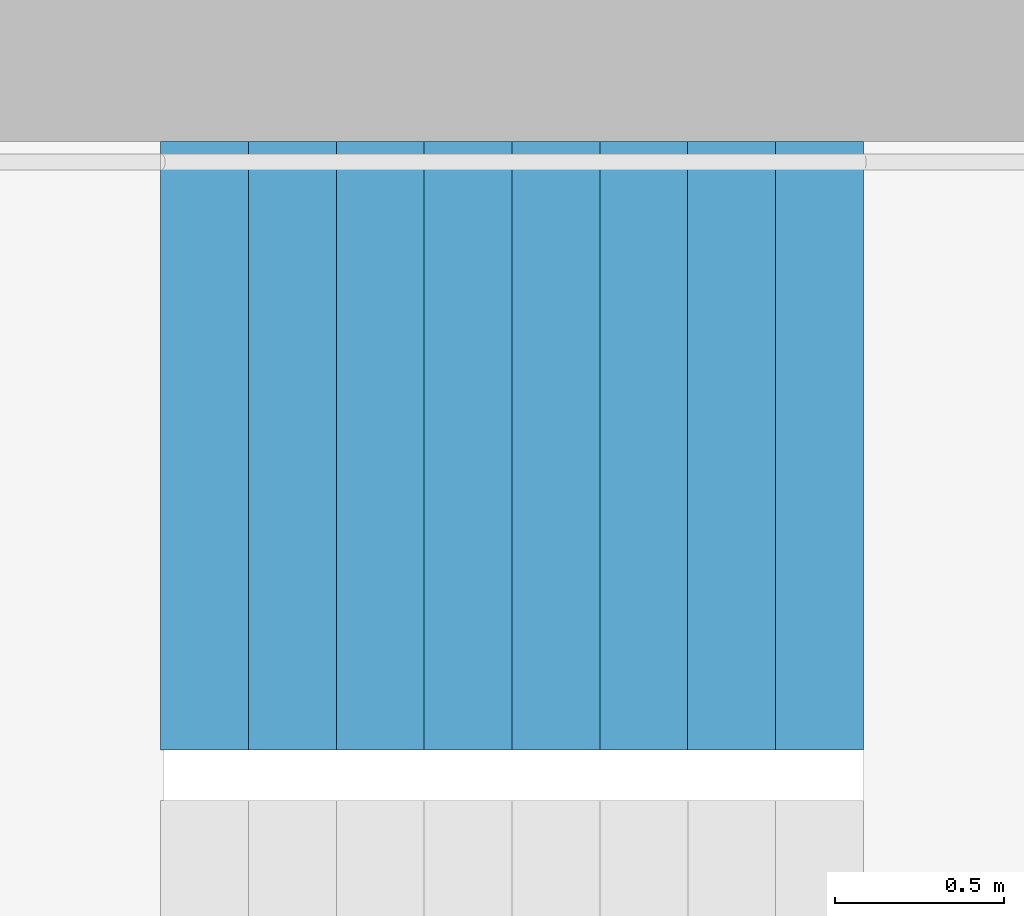
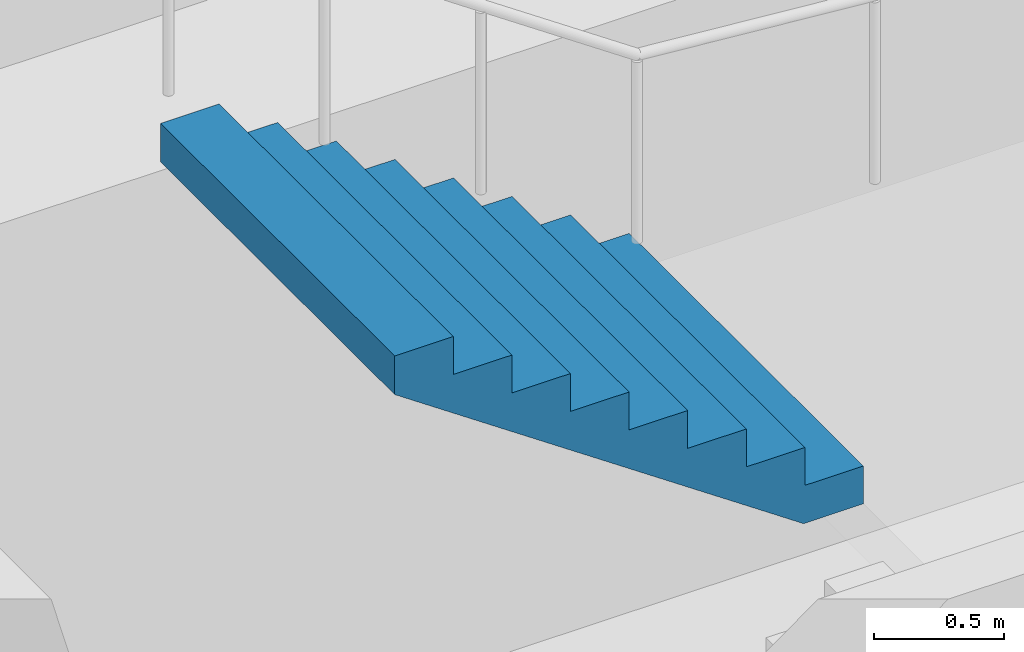
# One storey, part 23 of 28: 1 stair flight, 1 element without a shape of its own.
"""IFC4 building model written with IfcOpenShell, lengths in metres."""

from ifc_helpers import new_model, si_unit, direction, frame, origin, place, context, subcontext, project, spatial, triangles, material, type_object, element, aggregate, save


model = new_model("IFC4")

# Units and contexts
model_context = context("Model", 3, precision=1e-05, world=origin(), true_north=direction((0.0, 1.0)))
body_context = subcontext(model_context, "Body", "Model", "MODEL_VIEW")
ifc_project = project(units=[si_unit("LENGTHUNIT", "METRE"), si_unit("AREAUNIT", "SQUARE_METRE"), si_unit("VOLUMEUNIT", "CUBIC_METRE"), si_unit("PLANEANGLEUNIT", "RADIAN"), si_unit("MASSUNIT", "GRAM", prefix="KILO")], contexts=[model_context])

# Site, building, storey
site_placement = place(None, origin())
site = spatial("IfcSite", under=ifc_project, at=site_placement, CompositionType="ELEMENT")
building_placement = place(site_placement, origin())
building = spatial("IfcBuilding", under=site, at=building_placement, Name="Hakoniwa Tower and Hamabe Station Hall", CompositionType="ELEMENT")
storey_placement = place(building_placement, frame((0.0, 0.0, 48.60009765625)))
storey = spatial("IfcBuildingStorey", under=building, at=storey_placement, Name="L13", CompositionType="ELEMENT", Elevation=48.60009765625)

# Stair, stair flight
ifc_material_1 = material(Name="Concrete C40", Category="concrete")
stair_type = type_object("IfcStairType", Name="ESCAPE STAIR 1800", PredefinedType="HALF_TURN_STAIR", material=ifc_material_1)
stair_placement = place(storey_placement, origin())
stair = element("IfcStair", 1, at=stair_placement, inside=storey, type_object=stair_type, Name="Escape stair ST-1 L13", PredefinedType="HALF_TURN_STAIR")
ifc_material_2 = material(Name="Concrete C40", Category="concrete")
stair_flight_type = type_object("IfcStairFlightType", Name="STAIR FLIGHT 1800", PredefinedType="STRAIGHT", material=ifc_material_2)
stair_flight_placement = place(storey_placement, frame((-22.320068359375, 6.60009765625, 1.599853515625), z_axis=(0.0, 0.0, 1.0), x_axis=(-1.0, 0.0, 0.0)))
stair_flight = element("IfcStairFlight", 2, at=stair_flight_placement, type_object=stair_flight_type, Name="ST-1 flight 2", NumberOfRisers=9, NumberOfTreads=8, PredefinedType="STRAIGHT", RiserHeight=0.177777778, TreadLength=0.26, context=body_context, shape_type="Tessellation", body=[
    triangles([(0.0, 0.89990234375, 0.0), (0.260009765625, 0.89990234375, 0.0), (0.265625, 0.89990234375, 0.0), (0.52001953125, 0.89990234375, 0.174072265625), (0.780029296875, 0.89990234375, 0.351806640625), (1.0400390625, 0.89990234375, 0.529541015625), (1.300048828125, 0.89990234375, 0.707275390625), (1.56005859375, 0.89990234375, 0.885009765625), (1.820068359375, 0.89990234375, 1.062744140625), (2.080078125, 0.89990234375, 1.24072265625), (2.080078125, 0.89990234375, 1.422119140625), (1.820068359375, 0.89990234375, 1.422119140625), (1.820068359375, 0.89990234375, 1.244384765625), (1.56005859375, 0.89990234375, 1.244384765625), (1.56005859375, 0.89990234375, 1.066650390625), (1.300048828125, 0.89990234375, 1.066650390625), (1.300048828125, 0.89990234375, 0.888916015625), (1.0400390625, 0.89990234375, 0.888916015625), (1.0400390625, 0.89990234375, 0.711181640625), (0.780029296875, 0.89990234375, 0.711181640625), (0.780029296875, 0.89990234375, 0.533447265625), (0.52001953125, 0.89990234375, 0.533447265625), (0.52001953125, 0.89990234375, 0.35546875), (0.265625, 0.89990234375, 0.35546875), (0.260009765625, 0.89990234375, 0.35546875), (0.260009765625, 0.89990234375, 0.177734375), (0.0, 0.89990234375, 0.177734375), (0.0, 0.06005859375, 0.0), (0.260009765625, 0.06005859375, 0.0), (0.265625, 0.06005859375, 0.0), (0.52001953125, 0.06005859375, 0.174072265625), (0.780029296875, 0.06005859375, 0.351806640625), (1.0400390625, 0.06005859375, 0.529541015625), (1.300048828125, 0.06005859375, 0.707275390625), (1.56005859375, 0.06005859375, 0.885009765625), (1.820068359375, 0.06005859375, 1.062744140625), (2.080078125, 0.06005859375, 1.24072265625), (2.080078125, 0.06005859375, 1.422119140625), (1.820068359375, 0.06005859375, 1.422119140625), (1.820068359375, 0.06005859375, 1.244384765625), (1.56005859375, 0.06005859375, 1.244384765625), (1.56005859375, 0.06005859375, 1.066650390625), (1.300048828125, 0.06005859375, 1.066650390625), (1.300048828125, 0.06005859375, 0.888916015625), (1.0400390625, 0.06005859375, 0.888916015625), (1.0400390625, 0.06005859375, 0.711181640625), (0.780029296875, 0.06005859375, 0.711181640625), (0.780029296875, 0.06005859375, 0.533447265625), (0.52001953125, 0.06005859375, 0.533447265625), (0.52001953125, 0.06005859375, 0.35546875), (0.265625, 0.06005859375, 0.35546875), (0.260009765625, 0.06005859375, 0.35546875), (0.260009765625, 0.06005859375, 0.177734375), (0.0, 0.06005859375, 0.177734375), (0.0, 0.04296875, 0.0), (0.260009765625, 0.04296875, 0.0), (0.265625, 0.04296875, 0.0), (0.52001953125, 0.04296875, 0.174072265625), (0.780029296875, 0.04296875, 0.351806640625), (1.0400390625, 0.04296875, 0.529541015625), (1.300048828125, 0.04296875, 0.707275390625), (1.56005859375, 0.04296875, 0.885009765625), (1.820068359375, 0.04296875, 1.062744140625), (2.080078125, 0.04296875, 1.24072265625), (2.080078125, 0.04296875, 1.422119140625), (1.820068359375, 0.04296875, 1.422119140625), (1.820068359375, 0.04296875, 1.244384765625), (1.56005859375, 0.04296875, 1.244384765625), (1.56005859375, 0.04296875, 1.066650390625), (1.300048828125, 0.04296875, 1.066650390625), (1.300048828125, 0.04296875, 0.888916015625), (1.0400390625, 0.04296875, 0.888916015625), (1.0400390625, 0.04296875, 0.711181640625), (0.780029296875, 0.04296875, 0.711181640625), (0.780029296875, 0.04296875, 0.533447265625), (0.52001953125, 0.04296875, 0.533447265625), (0.52001953125, 0.04296875, 0.35546875), (0.265625, 0.04296875, 0.35546875), (0.260009765625, 0.04296875, 0.35546875), (0.260009765625, 0.04296875, 0.177734375), (0.0, 0.04296875, 0.177734375), (0.0, 0.025634765625, 0.0), (0.260009765625, 0.025634765625, 0.0), (0.265625, 0.025634765625, 0.0), (0.52001953125, 0.025634765625, 0.174072265625), (0.780029296875, 0.025634765625, 0.351806640625), (1.0400390625, 0.025634765625, 0.529541015625), (1.300048828125, 0.025634765625, 0.707275390625), (1.56005859375, 0.025634765625, 0.885009765625), (1.820068359375, 0.025634765625, 1.062744140625), (2.080078125, 0.025634765625, 1.24072265625), (2.080078125, 0.025634765625, 1.422119140625), (1.820068359375, 0.025634765625, 1.422119140625), (1.820068359375, 0.025634765625, 1.244384765625), (1.56005859375, 0.025634765625, 1.244384765625), (1.56005859375, 0.025634765625, 1.066650390625), (1.300048828125, 0.025634765625, 1.066650390625), (1.300048828125, 0.025634765625, 0.888916015625), (1.0400390625, 0.025634765625, 0.888916015625), (1.0400390625, 0.025634765625, 0.711181640625), (0.780029296875, 0.025634765625, 0.711181640625), (0.780029296875, 0.025634765625, 0.533447265625), (0.52001953125, 0.025634765625, 0.533447265625), (0.52001953125, 0.025634765625, 0.35546875), (0.265625, 0.025634765625, 0.35546875), (0.260009765625, 0.025634765625, 0.35546875), (0.260009765625, 0.025634765625, 0.177734375), (0.0, 0.025634765625, 0.177734375), (0.0, 0.008544921875, 0.0), (0.260009765625, 0.008544921875, 0.0), (0.265625, 0.008544921875, 0.0), (0.52001953125, 0.008544921875, 0.174072265625), (0.780029296875, 0.008544921875, 0.351806640625), (1.0400390625, 0.008544921875, 0.529541015625), (1.300048828125, 0.008544921875, 0.707275390625), (1.56005859375, 0.008544921875, 0.885009765625), (1.820068359375, 0.008544921875, 1.062744140625), (2.080078125, 0.008544921875, 1.24072265625), (2.080078125, 0.008544921875, 1.422119140625), (1.820068359375, 0.008544921875, 1.422119140625), (1.820068359375, 0.008544921875, 1.244384765625), (1.56005859375, 0.008544921875, 1.244384765625), (1.56005859375, 0.008544921875, 1.066650390625), (1.300048828125, 0.008544921875, 1.066650390625), (1.300048828125, 0.008544921875, 0.888916015625), (1.0400390625, 0.008544921875, 0.888916015625), (1.0400390625, 0.008544921875, 0.711181640625), (0.780029296875, 0.008544921875, 0.711181640625), (0.780029296875, 0.008544921875, 0.533447265625), (0.52001953125, 0.008544921875, 0.533447265625), (0.52001953125, 0.008544921875, 0.35546875), (0.265625, 0.008544921875, 0.35546875), (0.260009765625, 0.008544921875, 0.35546875), (0.260009765625, 0.008544921875, 0.177734375), (0.0, 0.008544921875, 0.177734375), (0.0, -0.008544921875, 0.0), (0.260009765625, -0.008544921875, 0.0), (0.265625, -0.008544921875, 0.0), (0.52001953125, -0.008544921875, 0.174072265625), (0.780029296875, -0.008544921875, 0.351806640625), (1.0400390625, -0.008544921875, 0.529541015625), (1.300048828125, -0.008544921875, 0.707275390625), (1.56005859375, -0.008544921875, 0.885009765625), (1.820068359375, -0.008544921875, 1.062744140625), (2.080078125, -0.008544921875, 1.24072265625), (2.080078125, -0.008544921875, 1.422119140625), (1.820068359375, -0.008544921875, 1.422119140625), (1.820068359375, -0.008544921875, 1.244384765625), (1.56005859375, -0.008544921875, 1.244384765625), (1.56005859375, -0.008544921875, 1.066650390625), (1.300048828125, -0.008544921875, 1.066650390625), (1.300048828125, -0.008544921875, 0.888916015625), (1.0400390625, -0.008544921875, 0.888916015625), (1.0400390625, -0.008544921875, 0.711181640625), (0.780029296875, -0.008544921875, 0.711181640625), (0.780029296875, -0.008544921875, 0.533447265625), (0.52001953125, -0.008544921875, 0.533447265625), (0.52001953125, -0.008544921875, 0.35546875), (0.265625, -0.008544921875, 0.35546875), (0.260009765625, -0.008544921875, 0.35546875), (0.260009765625, -0.008544921875, 0.177734375), (0.0, -0.008544921875, 0.177734375), (0.0, -0.025634765625, 0.0), (0.260009765625, -0.025634765625, 0.0), (0.265625, -0.025634765625, 0.0), (0.52001953125, -0.025634765625, 0.174072265625), (0.780029296875, -0.025634765625, 0.351806640625), (1.0400390625, -0.025634765625, 0.529541015625), (1.300048828125, -0.025634765625, 0.707275390625), (1.56005859375, -0.025634765625, 0.885009765625), (1.820068359375, -0.025634765625, 1.062744140625), (2.080078125, -0.025634765625, 1.24072265625), (2.080078125, -0.025634765625, 1.422119140625), (1.820068359375, -0.025634765625, 1.422119140625), (1.820068359375, -0.025634765625, 1.244384765625), (1.56005859375, -0.025634765625, 1.244384765625), (1.56005859375, -0.025634765625, 1.066650390625), (1.300048828125, -0.025634765625, 1.066650390625), (1.300048828125, -0.025634765625, 0.888916015625), (1.0400390625, -0.025634765625, 0.888916015625), (1.0400390625, -0.025634765625, 0.711181640625), (0.780029296875, -0.025634765625, 0.711181640625), (0.780029296875, -0.025634765625, 0.533447265625), (0.52001953125, -0.025634765625, 0.533447265625), (0.52001953125, -0.025634765625, 0.35546875), (0.265625, -0.025634765625, 0.35546875), (0.260009765625, -0.025634765625, 0.35546875), (0.260009765625, -0.025634765625, 0.177734375), (0.0, -0.025634765625, 0.177734375), (0.0, -0.04296875, 0.0), (0.260009765625, -0.04296875, 0.0), (0.265625, -0.04296875, 0.0), (0.52001953125, -0.04296875, 0.174072265625), (0.780029296875, -0.04296875, 0.351806640625), (1.0400390625, -0.04296875, 0.529541015625), (1.300048828125, -0.04296875, 0.707275390625), (1.56005859375, -0.04296875, 0.885009765625), (1.820068359375, -0.04296875, 1.062744140625), (2.080078125, -0.04296875, 1.24072265625), (2.080078125, -0.04296875, 1.422119140625), (1.820068359375, -0.04296875, 1.422119140625), (1.820068359375, -0.04296875, 1.244384765625), (1.56005859375, -0.04296875, 1.244384765625), (1.56005859375, -0.04296875, 1.066650390625), (1.300048828125, -0.04296875, 1.066650390625), (1.300048828125, -0.04296875, 0.888916015625), (1.0400390625, -0.04296875, 0.888916015625), (1.0400390625, -0.04296875, 0.711181640625), (0.780029296875, -0.04296875, 0.711181640625), (0.780029296875, -0.04296875, 0.533447265625), (0.52001953125, -0.04296875, 0.533447265625), (0.52001953125, -0.04296875, 0.35546875), (0.265625, -0.04296875, 0.35546875), (0.260009765625, -0.04296875, 0.35546875), (0.260009765625, -0.04296875, 0.177734375), (0.0, -0.04296875, 0.177734375), (0.0, -0.06005859375, 0.0), (0.260009765625, -0.06005859375, 0.0), (0.265625, -0.06005859375, 0.0), (0.52001953125, -0.06005859375, 0.174072265625), (0.780029296875, -0.06005859375, 0.351806640625), (1.0400390625, -0.06005859375, 0.529541015625), (1.300048828125, -0.06005859375, 0.707275390625), (1.56005859375, -0.06005859375, 0.885009765625), (1.820068359375, -0.06005859375, 1.062744140625), (2.080078125, -0.06005859375, 1.24072265625), (2.080078125, -0.06005859375, 1.422119140625), (1.820068359375, -0.06005859375, 1.422119140625), (1.820068359375, -0.06005859375, 1.244384765625), (1.56005859375, -0.06005859375, 1.244384765625), (1.56005859375, -0.06005859375, 1.066650390625), (1.300048828125, -0.06005859375, 1.066650390625), (1.300048828125, -0.06005859375, 0.888916015625), (1.0400390625, -0.06005859375, 0.888916015625), (1.0400390625, -0.06005859375, 0.711181640625), (0.780029296875, -0.06005859375, 0.711181640625), (0.780029296875, -0.06005859375, 0.533447265625), (0.52001953125, -0.06005859375, 0.533447265625), (0.52001953125, -0.06005859375, 0.35546875), (0.265625, -0.06005859375, 0.35546875), (0.260009765625, -0.06005859375, 0.35546875), (0.260009765625, -0.06005859375, 0.177734375), (0.0, -0.06005859375, 0.177734375), (0.0, -0.89990234375, 0.0), (0.260009765625, -0.89990234375, 0.0), (0.265625, -0.89990234375, 0.0), (0.52001953125, -0.89990234375, 0.174072265625), (0.780029296875, -0.89990234375, 0.351806640625), (1.0400390625, -0.89990234375, 0.529541015625), (1.300048828125, -0.89990234375, 0.707275390625), (1.56005859375, -0.89990234375, 0.885009765625), (1.820068359375, -0.89990234375, 1.062744140625), (2.080078125, -0.89990234375, 1.24072265625), (2.080078125, -0.89990234375, 1.422119140625), (1.820068359375, -0.89990234375, 1.422119140625), (1.820068359375, -0.89990234375, 1.244384765625), (1.56005859375, -0.89990234375, 1.244384765625), (1.56005859375, -0.89990234375, 1.066650390625), (1.300048828125, -0.89990234375, 1.066650390625), (1.300048828125, -0.89990234375, 0.888916015625), (1.0400390625, -0.89990234375, 0.888916015625), (1.0400390625, -0.89990234375, 0.711181640625), (0.780029296875, -0.89990234375, 0.711181640625), (0.780029296875, -0.89990234375, 0.533447265625), (0.52001953125, -0.89990234375, 0.533447265625), (0.52001953125, -0.89990234375, 0.35546875), (0.265625, -0.89990234375, 0.35546875), (0.260009765625, -0.89990234375, 0.35546875), (0.260009765625, -0.89990234375, 0.177734375), (0.0, -0.89990234375, 0.177734375)], [[2, 27, 26], [245, 269, 270], [2, 1, 27], [245, 270, 244], [3, 25, 24], [246, 267, 268], [3, 26, 25], [246, 268, 269], [3, 2, 26], [246, 269, 245], [4, 24, 23], [247, 266, 267], [4, 3, 24], [247, 267, 246], [5, 22, 21], [248, 264, 265], [5, 23, 22], [248, 265, 266], [5, 4, 23], [248, 266, 247], [6, 20, 19], [249, 262, 263], [6, 21, 20], [249, 263, 264], [6, 5, 21], [249, 264, 248], [7, 18, 17], [250, 260, 261], [7, 19, 18], [250, 261, 262], [7, 6, 19], [250, 262, 249], [8, 16, 15], [251, 258, 259], [8, 17, 16], [251, 259, 260], [8, 7, 17], [251, 260, 250], [9, 14, 13], [252, 256, 257], [9, 15, 14], [252, 257, 258], [9, 8, 15], [252, 258, 251], [10, 12, 11], [253, 254, 255], [10, 13, 12], [253, 255, 256], [10, 9, 13], [253, 256, 252], [1, 2, 29], [1, 29, 28], [28, 29, 56], [28, 56, 55], [55, 56, 83], [55, 83, 82], [82, 83, 110], [82, 110, 109], [109, 110, 137], [109, 137, 136], [136, 137, 164], [136, 164, 163], [163, 164, 191], [163, 191, 190], [190, 191, 218], [190, 218, 217], [217, 218, 245], [217, 245, 244], [2, 3, 30], [2, 30, 29], [29, 30, 57], [29, 57, 56], [56, 57, 84], [56, 84, 83], [83, 84, 111], [83, 111, 110], [110, 111, 138], [110, 138, 137], [137, 138, 165], [137, 165, 164], [164, 165, 192], [164, 192, 191], [191, 192, 219], [191, 219, 218], [218, 219, 246], [218, 246, 245], [3, 4, 31], [3, 31, 30], [30, 31, 58], [30, 58, 57], [57, 58, 85], [57, 85, 84], [84, 85, 112], [84, 112, 111], [111, 112, 139], [111, 139, 138], [138, 139, 166], [138, 166, 165], [165, 166, 193], [165, 193, 192], [192, 193, 220], [192, 220, 219], [219, 220, 247], [219, 247, 246], [4, 5, 32], [4, 32, 31], [31, 32, 59], [31, 59, 58], [58, 59, 86], [58, 86, 85], [85, 86, 113], [85, 113, 112], [112, 113, 140], [112, 140, 139], [139, 140, 167], [139, 167, 166], [166, 167, 194], [166, 194, 193], [193, 194, 221], [193, 221, 220], [220, 221, 248], [220, 248, 247], [5, 6, 33], [5, 33, 32], [32, 33, 60], [32, 60, 59], [59, 60, 87], [59, 87, 86], [86, 87, 114], [86, 114, 113], [113, 114, 141], [113, 141, 140], [140, 141, 168], [140, 168, 167], [167, 168, 195], [167, 195, 194], [194, 195, 222], [194, 222, 221], [221, 222, 249], [221, 249, 248], [6, 7, 34], [6, 34, 33], [33, 34, 61], [33, 61, 60], [60, 61, 88], [60, 88, 87], [87, 88, 115], [87, 115, 114], [114, 115, 142], [114, 142, 141], [141, 142, 169], [141, 169, 168], [168, 169, 196], [168, 196, 195], [195, 196, 223], [195, 223, 222], [222, 223, 250], [222, 250, 249], [7, 8, 35], [7, 35, 34], [34, 35, 62], [34, 62, 61], [61, 62, 89], [61, 89, 88], [88, 89, 116], [88, 116, 115], [115, 116, 143], [115, 143, 142], [142, 143, 170], [142, 170, 169], [169, 170, 197], [169, 197, 196], [196, 197, 224], [196, 224, 223], [223, 224, 251], [223, 251, 250], [8, 9, 36], [8, 36, 35], [35, 36, 63], [35, 63, 62], [62, 63, 90], [62, 90, 89], [89, 90, 117], [89, 117, 116], [116, 117, 144], [116, 144, 143], [143, 144, 171], [143, 171, 170], [170, 171, 198], [170, 198, 197], [197, 198, 225], [197, 225, 224], [224, 225, 252], [224, 252, 251], [9, 10, 37], [9, 37, 36], [36, 37, 64], [36, 64, 63], [63, 64, 91], [63, 91, 90], [90, 91, 118], [90, 118, 117], [117, 118, 145], [117, 145, 144], [144, 145, 172], [144, 172, 171], [171, 172, 199], [171, 199, 198], [198, 199, 226], [198, 226, 225], [225, 226, 253], [225, 253, 252], [10, 11, 38], [10, 38, 37], [37, 38, 65], [37, 65, 64], [64, 65, 92], [64, 92, 91], [91, 92, 119], [91, 119, 118], [118, 119, 146], [118, 146, 145], [145, 146, 173], [145, 173, 172], [172, 173, 200], [172, 200, 199], [199, 200, 227], [199, 227, 226], [226, 227, 254], [226, 254, 253], [11, 12, 39], [11, 39, 38], [38, 39, 66], [38, 66, 65], [65, 66, 93], [65, 93, 92], [92, 93, 120], [92, 120, 119], [119, 120, 147], [119, 147, 146], [146, 147, 174], [146, 174, 173], [173, 174, 201], [173, 201, 200], [200, 201, 228], [200, 228, 227], [227, 228, 255], [227, 255, 254], [12, 13, 40], [12, 40, 39], [39, 40, 67], [39, 67, 66], [66, 67, 94], [66, 94, 93], [93, 94, 121], [93, 121, 120], [120, 121, 148], [120, 148, 147], [147, 148, 175], [147, 175, 174], [174, 175, 202], [174, 202, 201], [201, 202, 229], [201, 229, 228], [228, 229, 256], [228, 256, 255], [13, 14, 41], [13, 41, 40], [40, 41, 68], [40, 68, 67], [67, 68, 95], [67, 95, 94], [94, 95, 122], [94, 122, 121], [121, 122, 149], [121, 149, 148], [148, 149, 176], [148, 176, 175], [175, 176, 203], [175, 203, 202], [202, 203, 230], [202, 230, 229], [229, 230, 257], [229, 257, 256], [14, 15, 42], [14, 42, 41], [41, 42, 69], [41, 69, 68], [68, 69, 96], [68, 96, 95], [95, 96, 123], [95, 123, 122], [122, 123, 150], [122, 150, 149], [149, 150, 177], [149, 177, 176], [176, 177, 204], [176, 204, 203], [203, 204, 231], [203, 231, 230], [230, 231, 258], [230, 258, 257], [15, 16, 43], [15, 43, 42], [42, 43, 70], [42, 70, 69], [69, 70, 97], [69, 97, 96], [96, 97, 124], [96, 124, 123], [123, 124, 151], [123, 151, 150], [150, 151, 178], [150, 178, 177], [177, 178, 205], [177, 205, 204], [204, 205, 232], [204, 232, 231], [231, 232, 259], [231, 259, 258], [16, 17, 44], [16, 44, 43], [43, 44, 71], [43, 71, 70], [70, 71, 98], [70, 98, 97], [97, 98, 125], [97, 125, 124], [124, 125, 152], [124, 152, 151], [151, 152, 179], [151, 179, 178], [178, 179, 206], [178, 206, 205], [205, 206, 233], [205, 233, 232], [232, 233, 260], [232, 260, 259], [17, 18, 45], [17, 45, 44], [44, 45, 72], [44, 72, 71], [71, 72, 99], [71, 99, 98], [98, 99, 126], [98, 126, 125], [125, 126, 153], [125, 153, 152], [152, 153, 180], [152, 180, 179], [179, 180, 207], [179, 207, 206], [206, 207, 234], [206, 234, 233], [233, 234, 261], [233, 261, 260], [18, 19, 46], [18, 46, 45], [45, 46, 73], [45, 73, 72], [72, 73, 100], [72, 100, 99], [99, 100, 127], [99, 127, 126], [126, 127, 154], [126, 154, 153], [153, 154, 181], [153, 181, 180], [180, 181, 208], [180, 208, 207], [207, 208, 235], [207, 235, 234], [234, 235, 262], [234, 262, 261], [19, 20, 47], [19, 47, 46], [46, 47, 74], [46, 74, 73], [73, 74, 101], [73, 101, 100], [100, 101, 128], [100, 128, 127], [127, 128, 155], [127, 155, 154], [154, 155, 182], [154, 182, 181], [181, 182, 209], [181, 209, 208], [208, 209, 236], [208, 236, 235], [235, 236, 263], [235, 263, 262], [20, 21, 48], [20, 48, 47], [47, 48, 75], [47, 75, 74], [74, 75, 102], [74, 102, 101], [101, 102, 129], [101, 129, 128], [128, 129, 156], [128, 156, 155], [155, 156, 183], [155, 183, 182], [182, 183, 210], [182, 210, 209], [209, 210, 237], [209, 237, 236], [236, 237, 264], [236, 264, 263], [21, 22, 49], [21, 49, 48], [48, 49, 76], [48, 76, 75], [75, 76, 103], [75, 103, 102], [102, 103, 130], [102, 130, 129], [129, 130, 157], [129, 157, 156], [156, 157, 184], [156, 184, 183], [183, 184, 211], [183, 211, 210], [210, 211, 238], [210, 238, 237], [237, 238, 265], [237, 265, 264], [22, 23, 50], [22, 50, 49], [49, 50, 77], [49, 77, 76], [76, 77, 104], [76, 104, 103], [103, 104, 131], [103, 131, 130], [130, 131, 158], [130, 158, 157], [157, 158, 185], [157, 185, 184], [184, 185, 212], [184, 212, 211], [211, 212, 239], [211, 239, 238], [238, 239, 266], [238, 266, 265], [23, 24, 51], [23, 51, 50], [50, 51, 78], [50, 78, 77], [77, 78, 105], [77, 105, 104], [104, 105, 132], [104, 132, 131], [131, 132, 159], [131, 159, 158], [158, 159, 186], [158, 186, 185], [185, 186, 213], [185, 213, 212], [212, 213, 240], [212, 240, 239], [239, 240, 267], [239, 267, 266], [24, 25, 52], [24, 52, 51], [51, 52, 79], [51, 79, 78], [78, 79, 106], [78, 106, 105], [105, 106, 133], [105, 133, 132], [132, 133, 160], [132, 160, 159], [159, 160, 187], [159, 187, 186], [186, 187, 214], [186, 214, 213], [213, 214, 241], [213, 241, 240], [240, 241, 268], [240, 268, 267], [25, 26, 53], [25, 53, 52], [52, 53, 80], [52, 80, 79], [79, 80, 107], [79, 107, 106], [106, 107, 134], [106, 134, 133], [133, 134, 161], [133, 161, 160], [160, 161, 188], [160, 188, 187], [187, 188, 215], [187, 215, 214], [214, 215, 242], [214, 242, 241], [241, 242, 269], [241, 269, 268], [26, 27, 54], [26, 54, 53], [53, 54, 81], [53, 81, 80], [80, 81, 108], [80, 108, 107], [107, 108, 135], [107, 135, 134], [134, 135, 162], [134, 162, 161], [161, 162, 189], [161, 189, 188], [188, 189, 216], [188, 216, 215], [215, 216, 243], [215, 243, 242], [242, 243, 270], [242, 270, 269], [27, 1, 28], [27, 28, 54], [54, 28, 55], [54, 55, 81], [81, 55, 82], [81, 82, 108], [108, 82, 109], [108, 109, 135], [135, 109, 136], [135, 136, 162], [162, 136, 163], [162, 163, 189], [189, 163, 190], [189, 190, 216], [216, 190, 217], [216, 217, 243], [243, 217, 244], [243, 244, 270]], closed=True),
])
aggregate(stair, [stair_flight])

save(model, "model.ifc")
